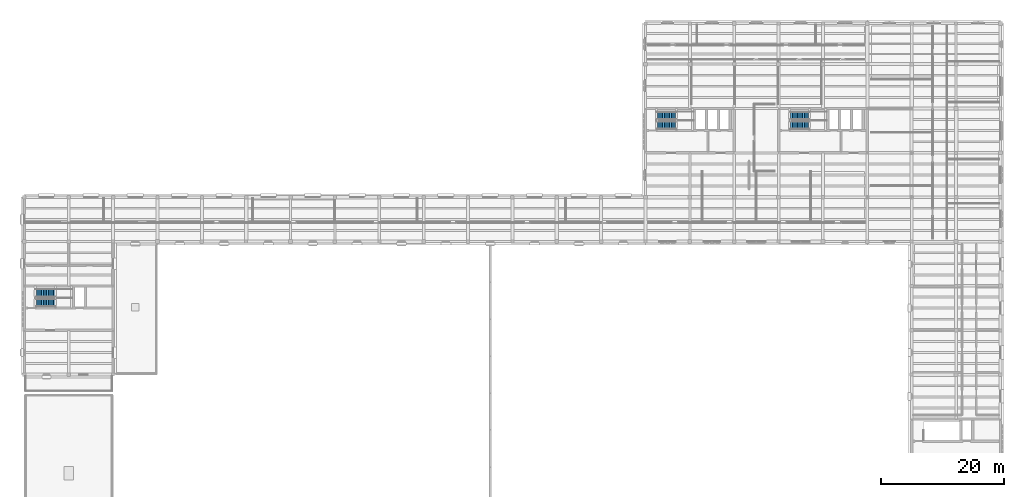
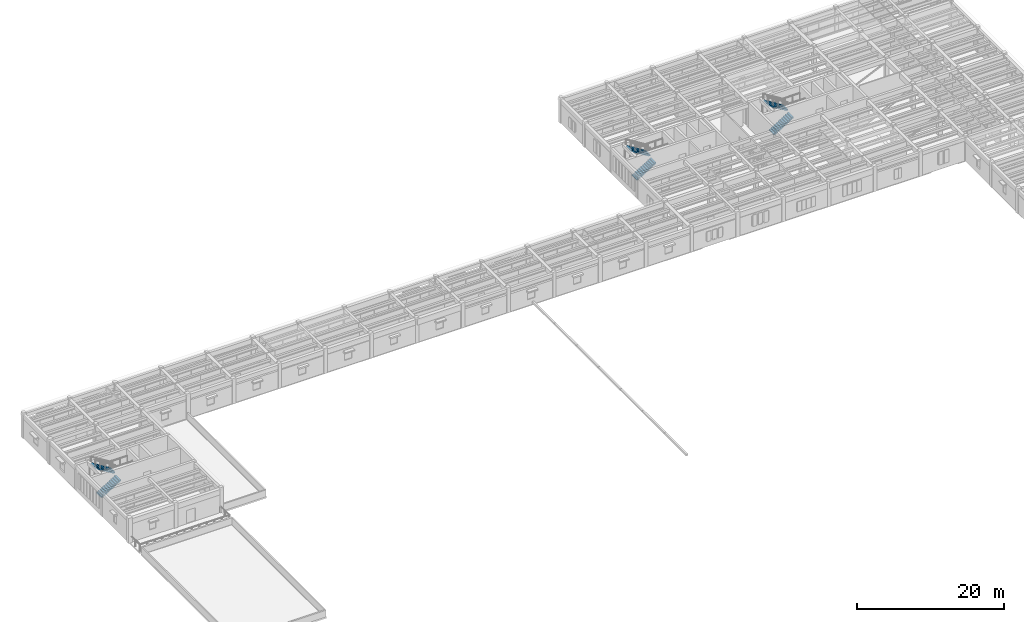
# One storey, part 20 of 27: 6 stair flights, 3 elements without a shape of their own.
"""IFC4 building model written with IfcOpenShell, lengths in metres."""

from ifc_helpers import new_model, si_unit, direction, frame, origin, place, context, subcontext, project, spatial, polyline, outline, extrude, material, type_object, element, aggregate, save


model = new_model("IFC4")

# Units and contexts
model_context = context("Model", 3, precision=1e-05, world=origin(), true_north=direction((0.0, 1.0)))
body_context = subcontext(model_context, "Body", "Model", "MODEL_VIEW")
ifc_project = project(units=[si_unit("LENGTHUNIT", "METRE"), si_unit("AREAUNIT", "SQUARE_METRE"), si_unit("VOLUMEUNIT", "CUBIC_METRE"), si_unit("PLANEANGLEUNIT", "RADIAN"), si_unit("MASSUNIT", "GRAM", prefix="KILO")], contexts=[model_context])

# Site, building, storey
site_placement = place(None, origin())
site = spatial("IfcSite", under=ifc_project, at=site_placement, CompositionType="ELEMENT")
building_placement = place(site_placement, origin())
building = spatial("IfcBuilding", under=site, at=building_placement, Name="Mithqara Police Headquarters", CompositionType="ELEMENT")
storey_placement = place(building_placement, frame((0.0, 0.0, 18.0)))
storey = spatial("IfcBuildingStorey", under=building, at=storey_placement, Name="L04", CompositionType="ELEMENT", Elevation=18.0)

# Stair, stair flights
ifc_material = material(Name="Concrete C40/50", Category="concrete")
stair_type_1 = type_object("IfcStairType", Name="STAIR ST 01-R24", PredefinedType="HALF_TURN_STAIR", material=ifc_material)
stair_1_placement = place(storey_placement, origin())
stair_1 = element("IfcStair", 1, at=stair_1_placement, inside=storey, type_object=stair_type_1, Name="L04 Core C1 Command West Exit Stair", PredefinedType="HALF_TURN_STAIR")
stair_flight_type_1 = type_object("IfcStairFlightType", Name="STAIR FLIGHT ST 01 F R12", PredefinedType="STRAIGHT", material=ifc_material)
stair_flight_1_placement = place(storey_placement, frame((110.550048828125, 97.47509765625, 0.0), z_axis=(0.0, 0.0, 1.0), x_axis=(1.0, 0.0, 0.0)))
stair_flight_1 = element("IfcStairFlight", 2, at=stair_flight_1_placement, type_object=stair_flight_type_1, Name="ST-01 flight 1", NumberOfRisers=12, NumberOfTreads=11, PredefinedType="STRAIGHT", RiserHeight=0.175, TreadLength=0.28, context=body_context, shape_type="SweptSolid", body=[
    extrude(outline(polyline([(0.0, 0.0), (0.0, 0.175048828125), (0.280029296875, 0.175048828125), (0.280029296875, 0.35009765625), (0.56005859375, 0.35009765625), (0.56005859375, 0.52490234375), (0.840087890625, 0.52490234375), (0.840087890625, 0.699951171875), (1.1201171875, 0.699951171875), (1.1201171875, 0.875), (1.39990234375, 0.875), (1.39990234375, 1.050048828125), (1.679931640625, 1.050048828125), (1.679931640625, 1.22509765625), (1.9599609375, 1.22509765625), (1.9599609375, 1.39990234375), (2.239990234375, 1.39990234375), (2.239990234375, 1.574951171875), (2.52001953125, 1.574951171875), (2.52001953125, 1.75), (2.800048828125, 1.75), (2.800048828125, 1.925048828125), (3.080078125, 1.925048828125), (3.080078125, 2.10009765625), (3.080078125, 1.748291015625), (0.28271484375, 0.0), (0.0, 0.0)])), frame((0.0, 0.675048828125, 0.0), z_axis=(0.0, -1.0, 0.0), x_axis=(1.0, 0.0, 0.0)), (0.0, 0.0, 1.0), 1.35009765625),
])
stair_flight_2_placement = place(storey_placement, frame((113.6298828125, 99.02490234375, 2.10009765625), z_axis=(0.0, 0.0, 1.0), x_axis=(-1.0, 0.0, 0.0)))
stair_flight_2 = element("IfcStairFlight", 3, at=stair_flight_2_placement, type_object=stair_flight_type_1, Name="ST-01 flight 2", NumberOfRisers=12, NumberOfTreads=11, PredefinedType="STRAIGHT", RiserHeight=0.175, TreadLength=0.28, context=body_context, shape_type="SweptSolid", body=[
    extrude(outline(polyline([(0.0, 0.0), (0.0, 0.175048828125), (0.280029296875, 0.175048828125), (0.280029296875, 0.35009765625), (0.56005859375, 0.35009765625), (0.56005859375, 0.52490234375), (0.840087890625, 0.52490234375), (0.840087890625, 0.699951171875), (1.1201171875, 0.699951171875), (1.1201171875, 0.875), (1.39990234375, 0.875), (1.39990234375, 1.050048828125), (1.679931640625, 1.050048828125), (1.679931640625, 1.22509765625), (1.9599609375, 1.22509765625), (1.9599609375, 1.39990234375), (2.239990234375, 1.39990234375), (2.239990234375, 1.574951171875), (2.52001953125, 1.574951171875), (2.52001953125, 1.75), (2.800048828125, 1.75), (2.800048828125, 1.925048828125), (3.080078125, 1.925048828125), (3.080078125, 2.10009765625), (3.080078125, 1.748291015625), (0.28271484375, 0.0), (0.0, 0.0)])), frame((0.0, 0.675048828125, 0.0), z_axis=(0.0, -1.0, 0.0), x_axis=(1.0, 0.0, 0.0)), (0.0, 0.0, 1.0), 1.35009765625),
])
aggregate(stair_1, [stair_flight_1, stair_flight_2])

stair_type_2 = type_object("IfcStairType", Name="STAIR ST 02-R24", PredefinedType="HALF_TURN_STAIR", material=ifc_material)
stair_2_placement = place(storey_placement, origin())
stair_2 = element("IfcStair", 4, at=stair_2_placement, inside=storey, type_object=stair_type_2, Name="L04 Core C2 Command East Exit Stair", PredefinedType="HALF_TURN_STAIR")
stair_flight_type_2 = type_object("IfcStairFlightType", Name="STAIR FLIGHT ST 02 F R12", PredefinedType="STRAIGHT", material=ifc_material)
stair_flight_3_placement = place(storey_placement, frame((132.14990234375, 97.47509765625, 0.0), z_axis=(0.0, 0.0, 1.0), x_axis=(1.0, 0.0, 0.0)))
stair_flight_3 = element("IfcStairFlight", 5, at=stair_flight_3_placement, type_object=stair_flight_type_2, Name="ST-02 flight 1", NumberOfRisers=12, NumberOfTreads=11, PredefinedType="STRAIGHT", RiserHeight=0.175, TreadLength=0.28, context=body_context, shape_type="SweptSolid", body=[
    extrude(outline(polyline([(0.0, 0.0), (0.0, 0.175048828125), (0.280029296875, 0.175048828125), (0.280029296875, 0.35009765625), (0.56005859375, 0.35009765625), (0.56005859375, 0.52490234375), (0.840087890625, 0.52490234375), (0.840087890625, 0.699951171875), (1.1201171875, 0.699951171875), (1.1201171875, 0.875), (1.39990234375, 0.875), (1.39990234375, 1.050048828125), (1.679931640625, 1.050048828125), (1.679931640625, 1.22509765625), (1.9599609375, 1.22509765625), (1.9599609375, 1.39990234375), (2.239990234375, 1.39990234375), (2.239990234375, 1.574951171875), (2.52001953125, 1.574951171875), (2.52001953125, 1.75), (2.800048828125, 1.75), (2.800048828125, 1.925048828125), (3.080078125, 1.925048828125), (3.080078125, 2.10009765625), (3.080078125, 1.748291015625), (0.28271484375, 0.0), (0.0, 0.0)])), frame((0.0, 0.675048828125, 0.0), z_axis=(0.0, -1.0, 0.0), x_axis=(1.0, 0.0, 0.0)), (0.0, 0.0, 1.0), 1.35009765625),
])
stair_flight_4_placement = place(storey_placement, frame((135.22998046875, 99.02490234375, 2.10009765625), z_axis=(0.0, 0.0, 1.0), x_axis=(-1.0, 0.0, 0.0)))
stair_flight_4 = element("IfcStairFlight", 6, at=stair_flight_4_placement, type_object=stair_flight_type_2, Name="ST-02 flight 2", NumberOfRisers=12, NumberOfTreads=11, PredefinedType="STRAIGHT", RiserHeight=0.175, TreadLength=0.28, context=body_context, shape_type="SweptSolid", body=[
    extrude(outline(polyline([(0.0, 0.0), (0.0, 0.175048828125), (0.280029296875, 0.175048828125), (0.280029296875, 0.35009765625), (0.56005859375, 0.35009765625), (0.56005859375, 0.52490234375), (0.840087890625, 0.52490234375), (0.840087890625, 0.699951171875), (1.1201171875, 0.699951171875), (1.1201171875, 0.875), (1.39990234375, 0.875), (1.39990234375, 1.050048828125), (1.679931640625, 1.050048828125), (1.679931640625, 1.22509765625), (1.9599609375, 1.22509765625), (1.9599609375, 1.39990234375), (2.239990234375, 1.39990234375), (2.239990234375, 1.574951171875), (2.52001953125, 1.574951171875), (2.52001953125, 1.75), (2.800048828125, 1.75), (2.800048828125, 1.925048828125), (3.080078125, 1.925048828125), (3.080078125, 2.10009765625), (3.080078125, 1.748291015625), (0.28271484375, 0.0), (0.0, 0.0)])), frame((0.0, 0.675048828125, 0.0), z_axis=(0.0, -1.0, 0.0), x_axis=(1.0, 0.0, 0.0)), (0.0, 0.0, 1.0), 1.35009765625),
])
aggregate(stair_2, [stair_flight_3, stair_flight_4])

stair_type_3 = type_object("IfcStairType", Name="STAIR ST 03-R24", PredefinedType="HALF_TURN_STAIR", material=ifc_material)
stair_3_placement = place(storey_placement, origin())
stair_3 = element("IfcStair", 7, at=stair_3_placement, inside=storey, type_object=stair_type_3, Name="L04 Core C3 Operations West Exit Stair", PredefinedType="HALF_TURN_STAIR")
stair_flight_type_3 = type_object("IfcStairFlightType", Name="STAIR FLIGHT ST 03 F R12", PredefinedType="STRAIGHT", material=ifc_material)
stair_flight_5_placement = place(storey_placement, frame((9.75, 68.675048828125, 0.0), z_axis=(0.0, 0.0, 1.0), x_axis=(1.0, 0.0, 0.0)))
stair_flight_5 = element("IfcStairFlight", 8, at=stair_flight_5_placement, type_object=stair_flight_type_3, Name="ST-03 flight 1", NumberOfRisers=12, NumberOfTreads=11, PredefinedType="STRAIGHT", RiserHeight=0.175, TreadLength=0.28, context=body_context, shape_type="SweptSolid", body=[
    extrude(outline(polyline([(0.0, 0.0), (0.0, 0.175048828125), (0.280029296875, 0.175048828125), (0.280029296875, 0.35009765625), (0.56005859375, 0.35009765625), (0.56005859375, 0.52490234375), (0.840087890625, 0.52490234375), (0.840087890625, 0.699951171875), (1.1201171875, 0.699951171875), (1.1201171875, 0.875), (1.39990234375, 0.875), (1.39990234375, 1.050048828125), (1.679931640625, 1.050048828125), (1.679931640625, 1.22509765625), (1.9599609375, 1.22509765625), (1.9599609375, 1.39990234375), (2.239990234375, 1.39990234375), (2.239990234375, 1.574951171875), (2.52001953125, 1.574951171875), (2.52001953125, 1.75), (2.800048828125, 1.75), (2.800048828125, 1.925048828125), (3.080078125, 1.925048828125), (3.080078125, 2.10009765625), (3.080078125, 1.748291015625), (0.28271484375, 0.0), (0.0, 0.0)])), frame((0.0, 0.675048828125, 0.0), z_axis=(0.0, -1.0, 0.0), x_axis=(1.0, 0.0, 0.0)), (0.0, 0.0, 1.0), 1.35009765625),
])
stair_flight_6_placement = place(storey_placement, frame((12.830078125, 70.22509765625, 2.10009765625), z_axis=(0.0, 0.0, 1.0), x_axis=(-1.0, 0.0, 0.0)))
stair_flight_6 = element("IfcStairFlight", 9, at=stair_flight_6_placement, type_object=stair_flight_type_3, Name="ST-03 flight 2", NumberOfRisers=12, NumberOfTreads=11, PredefinedType="STRAIGHT", RiserHeight=0.175, TreadLength=0.28, context=body_context, shape_type="SweptSolid", body=[
    extrude(outline(polyline([(0.0, 0.0), (0.0, 0.175048828125), (0.280029296875, 0.175048828125), (0.280029296875, 0.35009765625), (0.56005859375, 0.35009765625), (0.56005859375, 0.52490234375), (0.840087890625, 0.52490234375), (0.840087890625, 0.699951171875), (1.1201171875, 0.699951171875), (1.1201171875, 0.875), (1.39990234375, 0.875), (1.39990234375, 1.050048828125), (1.679931640625, 1.050048828125), (1.679931640625, 1.22509765625), (1.9599609375, 1.22509765625), (1.9599609375, 1.39990234375), (2.239990234375, 1.39990234375), (2.239990234375, 1.574951171875), (2.52001953125, 1.574951171875), (2.52001953125, 1.75), (2.800048828125, 1.75), (2.800048828125, 1.925048828125), (3.080078125, 1.925048828125), (3.080078125, 2.10009765625), (3.080078125, 1.748291015625), (0.28271484375, 0.0), (0.0, 0.0)])), frame((0.0, 0.675048828125, 0.0), z_axis=(0.0, -1.0, 0.0), x_axis=(1.0, 0.0, 0.0)), (0.0, 0.0, 1.0), 1.35009765625),
])
aggregate(stair_3, [stair_flight_5, stair_flight_6])

save(model, "model.ifc")
